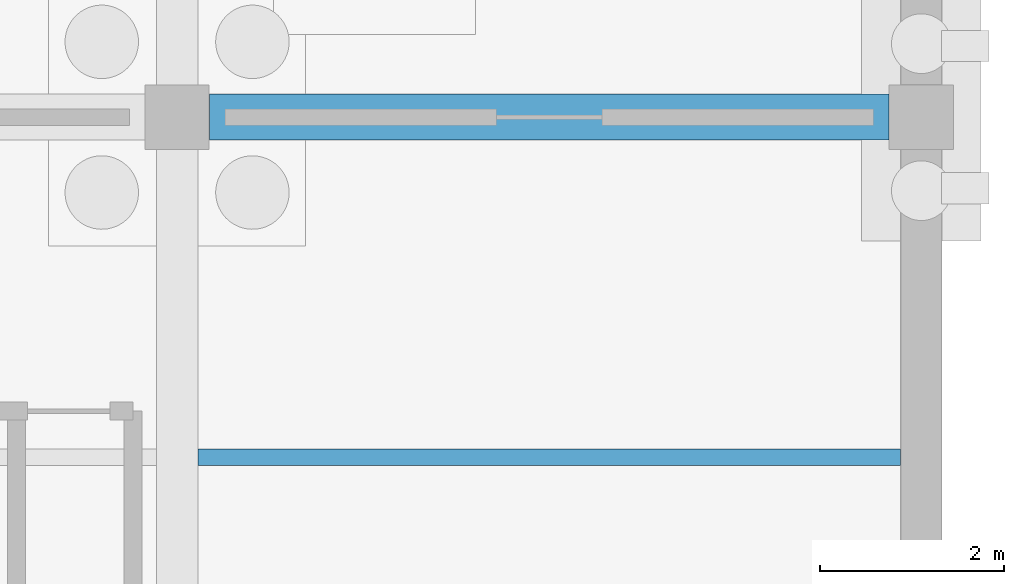
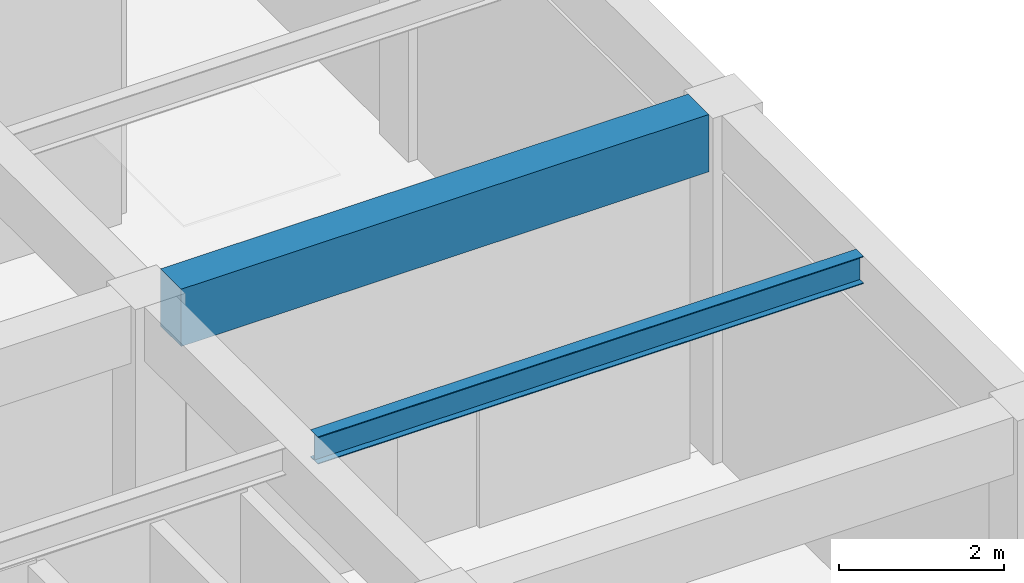
# One storey, part 95 of 140: 2 beams.
"""IFC4 building model written with IfcOpenShell, lengths in metres."""

import ifcopenshell
import ifcopenshell.guid

model = None  # the IFC model being written
_history = None  # IfcOwnerHistory: only IFC2X3 demands one
_inside = {}  # id of a spatial element -> (the spatial element, [elements in it])
_under = {}  # id of a project, library or spatial element -> (it, [spatial elements below it])
_declared = {}  # id of a project -> (the project, [libraries it declares])
_typed = {}  # id of a type object -> (the type object, [elements of that type])
_made_of = {}  # id of a material, layer set ... -> (it, [elements and type objects made of it])


def new_model(schema):
    """Start an empty IFC model of exactly this schema.

    Asked for "IFC4X3", IfcOpenShell would pick the latest addendum, in which some entities
    have other attributes; the version numbers below select the first issue.
    IFC2X3 requires an IfcOwnerHistory on every rooted entity: one is made here for all.
    """
    global model, _history
    if schema == "IFC4X3":
        model = ifcopenshell.file(schema_version=(4, 3, 0, 0))
    else:
        model = ifcopenshell.file(schema=schema)
    _inside.clear()
    _under.clear()
    _declared.clear()
    _typed.clear()
    _made_of.clear()
    _history = None
    if model.schema == "IFC2X3":
        org = make("IfcOrganization", Name="unknown")
        user = make(
            "IfcPersonAndOrganization",
            ThePerson=make("IfcPerson", FamilyName="unknown"),
            TheOrganization=org,
        )
        app = make(
            "IfcApplication",
            ApplicationDeveloper=org,
            Version="unknown",
            ApplicationFullName="unknown",
            ApplicationIdentifier="unknown",
        )
        _history = make(
            "IfcOwnerHistory",
            OwningUser=user,
            OwningApplication=app,
            ChangeAction="ADDED",
            CreationDate=0,
        )
    return model


def make(cls, **values):
    """One entity of the class cls with the attributes given. An attribute that is None is left unset."""
    return model.create_entity(
        cls, **{name: value for name, value in values.items() if value is not None}
    )


def rooted(cls, **values):
    """An entity with a GlobalId (a new one), such as an element, a storey or a relation."""
    return make(cls, GlobalId=ifcopenshell.guid.new(), OwnerHistory=_history, **values)


def si_unit(unit_type, name, prefix=None):
    """IfcSIUnit, for example si_unit("LENGTHUNIT", "METRE", prefix="MILLI")."""
    return make("IfcSIUnit", UnitType=unit_type, Prefix=prefix, Name=name)


def assignment(units):
    """IfcUnitAssignment: the units of a project."""
    return None if units is None else make("IfcUnitAssignment", Units=units)


def point(xyz):
    """IfcCartesianPoint."""
    return None if xyz is None else make("IfcCartesianPoint", Coordinates=xyz)


def direction(xyz):
    """IfcDirection."""
    return None if xyz is None else make("IfcDirection", DirectionRatios=xyz)


def frame(location, z_axis=None, x_axis=None):
    """IfcAxis2Placement3D, a coordinate frame: its origin and axes. An axis left out is left unset."""
    return make(
        "IfcAxis2Placement3D",
        Location=point(location),
        Axis=direction(z_axis),
        RefDirection=direction(x_axis),
    )


def frame_2d(location, x_axis=None):
    """IfcAxis2Placement2D, a coordinate frame in the plane: its origin and x axis."""
    return make(
        "IfcAxis2Placement2D", Location=point(location), RefDirection=direction(x_axis)
    )


def origin():
    """The frame at (0, 0, 0) with its axes left unset."""
    return frame((0.0, 0.0, 0.0))


def origin_2d():
    """The frame at (0, 0) in the plane with its x axis left unset."""
    return frame_2d((0.0, 0.0))


def place(relative_to, where):
    """IfcLocalPlacement: puts the frame where relative to a parent placement (None: the world)."""
    return make(
        "IfcLocalPlacement", PlacementRelTo=relative_to, RelativePlacement=where
    )


def context(
    kind, dimensions, precision=None, world=None, true_north=None, identifier=None
):
    """IfcGeometricRepresentationContext, for example the 3D "Model" context."""
    return make(
        "IfcGeometricRepresentationContext",
        ContextIdentifier=identifier,
        ContextType=kind,
        CoordinateSpaceDimension=dimensions,
        Precision=precision,
        WorldCoordinateSystem=world,
        TrueNorth=true_north,
    )


def subcontext(parent, identifier, kind, view, scale=None):
    """IfcGeometricRepresentationSubContext, for example "Body" below "Model"."""
    return make(
        "IfcGeometricRepresentationSubContext",
        ContextIdentifier=identifier,
        ContextType=kind,
        ParentContext=parent,
        TargetScale=scale,
        TargetView=view,
    )


def project(units=None, contexts=None):
    """IfcProject with its units and contexts."""
    return rooted(
        "IfcProject",
        Name="project",
        RepresentationContexts=contexts,
        UnitsInContext=assignment(units),
    )


def spatial(cls, under=None, at=None, **own):
    """A site, building, storey or space (cls), placed at a placement, below another one or the project."""
    s = rooted(cls, ObjectPlacement=at, **own)
    if under is not None:
        _under.setdefault(under.id(), (under, []))[1].append(s)
    return s


def profile(cls, at=None, kind="AREA", **sizes):
    """A parametric profile (cls). Its sizes go by their IFC names, for example OverallWidth=200.0."""
    return make(cls, ProfileType=kind, Position=at, **sizes)


def rectangle(**sizes):
    """IfcRectangleProfileDef."""
    return profile("IfcRectangleProfileDef", **sizes)


def i_section(**sizes):
    """IfcIShapeProfileDef."""
    return profile("IfcIShapeProfileDef", **sizes)


def extrude(swept, where, along, depth):
    """IfcExtrudedAreaSolid: the profile swept, set in the frame where, extruded along a direction by depth."""
    return make(
        "IfcExtrudedAreaSolid",
        SweptArea=swept,
        Position=where,
        ExtrudedDirection=direction(along),
        Depth=depth,
    )


def shape(context_of_items, identifier, shape_type, items):
    """IfcShapeRepresentation: the items that make up one representation, for example the "Body"."""
    return make(
        "IfcShapeRepresentation",
        ContextOfItems=context_of_items,
        RepresentationIdentifier=identifier,
        RepresentationType=shape_type,
        Items=items,
    )


def material(Name=None, Category=None):
    """IfcMaterial."""
    return make("IfcMaterial", Name=Name, Category=Category)


def material_profile(
    of_material, cross_section, Name=None, Category=None, Priority=None
):
    """IfcMaterialProfile: a cross section and its material."""
    return make(
        "IfcMaterialProfile",
        Name=Name,
        Material=of_material,
        Profile=cross_section,
        Priority=Priority,
        Category=Category,
    )


def profile_set(profiles, Name=None, composite=None):
    """IfcMaterialProfileSet."""
    return make(
        "IfcMaterialProfileSet",
        Name=Name,
        MaterialProfiles=profiles,
        CompositeProfile=composite,
    )


def made_of(thing, what):
    """Note that an element or type object is made of a material, layer set ...; save() writes the relation."""
    if what is not None:
        _made_of.setdefault(what.id(), (what, []))[1].append(thing)
    return thing


def type_object(cls, material=None, **own):
    """A type object (cls), such as IfcWallType, which elements share."""
    return made_of(rooted(cls, **own), material)


def element(
    cls,
    number,
    at=None,
    inside=None,
    cuts=None,
    type_object=None,
    material=None,
    context=None,
    identifier="Body",
    shape_type=None,
    held_by="IfcProductDefinitionShape",
    body=None,
    shapes=None,
    **own,
):
    """One element of the class cls, such as IfcWall. Its Tag is "e" and its number.

    at: its placement. inside: the storey or other place that contains it. cuts: it is an
    opening in that element (IfcRelVoidsElement). A single representation is given by context,
    identifier, shape_type and body (its items); several are given by shapes. held_by: the class
    of the entity that holds the representations. save() writes the other relations.
    """
    e = rooted(cls, Tag="e%d" % number, ObjectPlacement=at, **own)
    if body is not None:
        shapes = [shape(context, identifier, shape_type, body)]
    if shapes is not None:
        e.Representation = make(held_by, Representations=shapes)
    if inside is not None:
        _inside.setdefault(inside.id(), (inside, []))[1].append(e)
    if cuts is not None:
        rooted(
            "IfcRelVoidsElement", RelatingBuildingElement=cuts, RelatedOpeningElement=e
        )
    if type_object is not None:
        _typed.setdefault(type_object.id(), (type_object, []))[1].append(e)
    return made_of(e, material)


def aggregate(whole, parts):
    """IfcRelAggregates: a whole, such as a stair, and the parts it consists of."""
    return rooted("IfcRelAggregates", RelatingObject=whole, RelatedObjects=parts)


def save(model, path):
    """Write the relations noted so far, then the file.

    IfcRelAggregates (storeys below a building ...), IfcRelContainedInSpatialStructure (elements
    in a storey), IfcRelDefinesByType, IfcRelAssociatesMaterial and IfcRelDeclares: one each for
    every whole, place, type object, material and project.
    """
    for whole, parts in _under.values():
        aggregate(whole, parts)
    for where, things in _inside.values():
        rooted(
            "IfcRelContainedInSpatialStructure",
            RelatedElements=things,
            RelatingStructure=where,
        )
    for kind, things in _typed.values():
        rooted("IfcRelDefinesByType", RelatedObjects=things, RelatingType=kind)
    for what, things in _made_of.values():
        rooted("IfcRelAssociatesMaterial", RelatedObjects=things, RelatingMaterial=what)
    for by, libraries in _declared.values():
        rooted("IfcRelDeclares", RelatingContext=by, RelatedDefinitions=libraries)
    model.write(path)


model = new_model("IFC4")

# Units and contexts
model_context = context("Model", 3, precision=1e-05, world=origin(), true_north=direction((0.0, 1.0)))
body_context = subcontext(model_context, "Body", "Model", "MODEL_VIEW")
ifc_project = project(units=[si_unit("LENGTHUNIT", "METRE"), si_unit("AREAUNIT", "SQUARE_METRE"), si_unit("VOLUMEUNIT", "CUBIC_METRE"), si_unit("PLANEANGLEUNIT", "RADIAN"), si_unit("MASSUNIT", "GRAM", prefix="KILO")], contexts=[model_context])

# Site, building, storey
site_placement = place(None, origin())
site = spatial("IfcSite", under=ifc_project, at=site_placement, CompositionType="ELEMENT")
building_placement = place(site_placement, origin())
building = spatial("IfcBuilding", under=site, at=building_placement, Name="Cimatlan Art Gallery", CompositionType="ELEMENT")
storey_placement = place(building_placement, origin())
storey = spatial("IfcBuildingStorey", under=building, at=storey_placement, Name="L00", CompositionType="ELEMENT", Elevation=0.0)

# Beams
ifc_material_1 = material(Name="Concrete C40/50", Category="concrete")
ifc_material_profile_1 = material_profile(ifc_material_1, rectangle(XDim=0.5, YDim=0.85009765625, at=origin_2d()), Name="RC500X850")
ifc_profile_set_1 = profile_set([ifc_material_profile_1], Name="Concrete C40/50")
beam_type_1 = type_object("IfcBeamType", Name="BM-RC-500X850", PredefinedType="BEAM", material=ifc_profile_set_1)
beam_1_placement = place(storey_placement, frame((156.25, 38.699951171875, 4.7099609375), z_axis=(1.0, 0.0, 0.0), x_axis=(0.0, 1.0, 0.0)))
element("IfcBeam", 1, at=beam_1_placement, inside=storey, type_object=beam_type_1, Name="BM-X-L00-19-05", PredefinedType="BEAM", context=body_context, shape_type="SweptSolid", body=[
    extrude(rectangle(XDim=0.5, YDim=0.85009765625, at=origin_2d()), origin(), (0.0, 0.0, 1.0), 7.39990234375),
])
ifc_material_2 = material(Name="Steel ASTM A992 Grade 50", Category="steel")
ifc_material_profile_2 = material_profile(ifc_material_2, i_section(OverallWidth=0.177978515625, OverallDepth=0.406982421875, WebThickness=0.0078125, FlangeThickness=0.0126953125, at=origin_2d()), Name="W16X40")
ifc_profile_set_2 = profile_set([ifc_material_profile_2], Name="Steel ASTM A992 Grade 50")
beam_type_2 = type_object("IfcBeamType", Name="BM-STL-W16X40", PredefinedType="JOIST", material=ifc_profile_set_2)
beam_2_placement = place(storey_placement, frame((156.125, 35.0, 4.931396484375), z_axis=(1.0, 0.0, 0.0), x_axis=(0.0, 1.0, 0.0)))
element("IfcBeam", 2, at=beam_2_placement, inside=storey, type_object=beam_type_2, Name="JST-L00-19-04", PredefinedType="JOIST", context=body_context, shape_type="SweptSolid", body=[
    extrude(i_section(OverallWidth=0.177978515625, OverallDepth=0.406982421875, WebThickness=0.0078125, FlangeThickness=0.0126953125, at=origin_2d()), origin(), (0.0, 0.0, 1.0), 7.64990234375),
])

save(model, "model.ifc")
